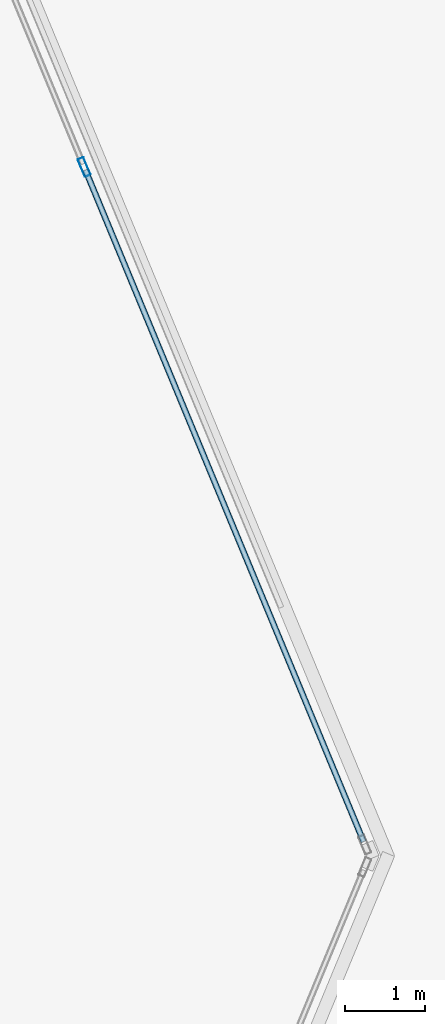
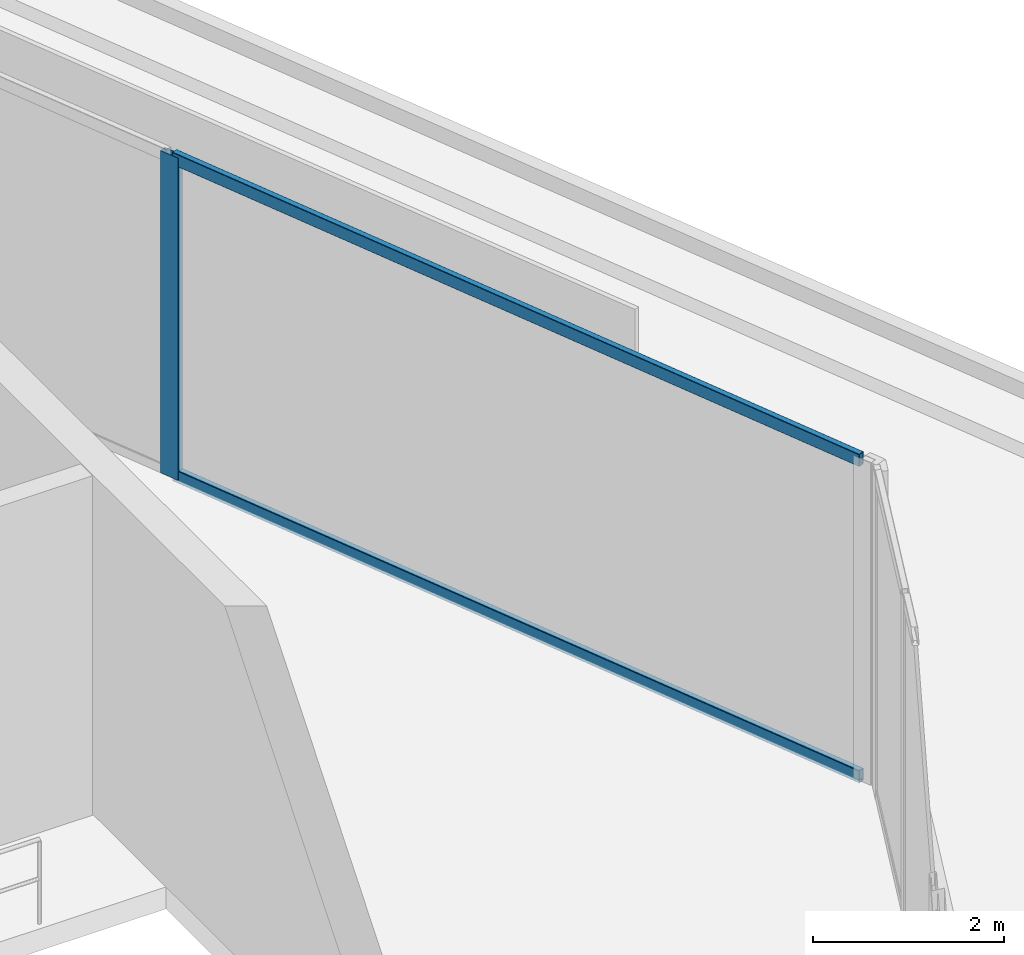
# One storey, part 5 of 11: 3 members, 1 element without a shape of its own.
"""IFC4 building model written with IfcOpenShell, lengths in metres."""

from ifc_helpers import new_model, si_unit, direction, frame, origin, origin_2d, place, context, subcontext, project, spatial, hollow_rectangle, extrude, source, transform, mapped, material, material_profile, profile_set, type_object, element, aggregate, save


model = new_model("IFC4")

# Units and contexts
model_context = context("Model", 3, precision=1e-05, world=origin(), true_north=direction((0.0, 1.0)))
body_context = subcontext(model_context, "Body", "Model", "MODEL_VIEW")
ifc_project = project(units=[si_unit("LENGTHUNIT", "METRE"), si_unit("AREAUNIT", "SQUARE_METRE"), si_unit("VOLUMEUNIT", "CUBIC_METRE"), si_unit("PLANEANGLEUNIT", "RADIAN"), si_unit("MASSUNIT", "GRAM", prefix="KILO")], contexts=[model_context])

# Site, building, storey
site_placement = place(None, origin())
site = spatial("IfcSite", under=ifc_project, at=site_placement, CompositionType="ELEMENT")
building_placement = place(site_placement, origin())
building = spatial("IfcBuilding", under=site, at=building_placement, Name="Torre Montelarca", CompositionType="ELEMENT")
storey_placement = place(building_placement, frame((0.0, 0.0, 366.0)))
storey = spatial("IfcBuildingStorey", under=building, at=storey_placement, Name="L82", CompositionType="ELEMENT", Elevation=366.0)

# Curtain wall, members
ifc_material_1 = material(Name="Amber translucent laminated glass", Category="glass")
curtain_wall_type = type_object("IfcCurtainWallType", Name="CW-SYS-LANT", PredefinedType="USERDEFINED", material=ifc_material_1)
curtain_wall_placement = place(storey_placement, origin())
curtain_wall = element("IfcCurtainWall", 1, at=curtain_wall_placement, inside=storey, type_object=curtain_wall_type, Name="L82 Curtain Wall Run CW-T3-L82-E05-B1", ObjectType="TRANSLUCENT LANTERN", PredefinedType="USERDEFINED")
ifc_material_2 = material(Name="Anodised aluminium AA 6063-T6", Category="aluminium")
ifc_material_profile_1 = material_profile(ifc_material_2, hollow_rectangle(XDim=0.080078125, YDim=0.239990234375, WallThickness=0.0048828125, InnerFilletRadius=0.0048828125, OuterFilletRadius=0.010009765625, at=origin_2d()), Name="ALU80X240X5", Category="aluminium")
ifc_profile_set_1 = profile_set([ifc_material_profile_1], Name="Anodised aluminium AA 6063-T6")
member_type_1 = type_object("IfcMemberType", Name="CWM-ALU240", PredefinedType="MULLION", material=ifc_profile_set_1)
shared_shape_1 = source(origin(), body_context, "Body", "SweptSolid", [
    extrude(hollow_rectangle(XDim=0.080078125, YDim=0.239990234375, WallThickness=0.0048828125, InnerFilletRadius=0.0048828125, OuterFilletRadius=0.010009765625, at=origin_2d()), origin(), (0.0, 0.0, 1.0), 4.1201171875),
])
member_1_placement = place(storey_placement, frame((30.36328125, 36.916015625, 0.0), z_axis=(0.0, 0.0, 1.0), x_axis=(-0.92387961246, -0.382683239352, 0.0)))
member_1 = element("IfcMember", 2, at=member_1_placement, type_object=member_type_1, Name="CW mullion 2", PredefinedType="MULLION", context=body_context, shape_type="MappedRepresentation", body=[
    mapped(shared_shape_1, transform((0.0, 0.0, 0.0), scale=1.0)),
])
ifc_material_profile_2 = material_profile(ifc_material_2, hollow_rectangle(XDim=0.074951171875, YDim=0.159912109375, WallThickness=0.0048828125, InnerFilletRadius=0.0048828125, OuterFilletRadius=0.010009765625, at=origin_2d()), Name="ALU75X160X5", Category="aluminium")
ifc_profile_set_2 = profile_set([ifc_material_profile_2], Name="Anodised aluminium AA 6063-T6")
member_type_2 = type_object("IfcMemberType", Name="CWT-ALU160", PredefinedType="USERDEFINED", material=ifc_profile_set_2)
shared_shape_2 = source(origin(), body_context, "Body", "SweptSolid", [
    extrude(hollow_rectangle(XDim=0.074951171875, YDim=0.159912109375, WallThickness=0.0048828125, InnerFilletRadius=0.0048828125, OuterFilletRadius=0.010009765625, at=origin_2d()), origin(), (0.0, 0.0, 1.0), 9.06396484375),
])
member_2_placement = place(storey_placement, frame((33.847412109375, 28.505126953125, 0.03759765625), z_axis=(-0.382694348506, 0.923875010822, 0.0), x_axis=(-0.923875010822, -0.382694348506, 0.0)))
member_2 = element("IfcMember", 3, at=member_2_placement, type_object=member_type_2, Name="CW transom 1.1", ObjectType="TRANSOM", PredefinedType="USERDEFINED", context=body_context, shape_type="MappedRepresentation", body=[
    mapped(shared_shape_2, transform((0.0, 0.0, 0.0), scale=1.0)),
])
member_3_placement = place(storey_placement, frame((33.847412109375, 28.505126953125, 4.08251953125), z_axis=(-0.382694348506, 0.923875010822, 0.0), x_axis=(-0.923875010822, -0.382694348506, 0.0)))
member_3 = element("IfcMember", 4, at=member_3_placement, type_object=member_type_2, Name="CW transom 1.2", ObjectType="TRANSOM", PredefinedType="USERDEFINED", context=body_context, shape_type="MappedRepresentation", body=[
    mapped(shared_shape_2, transform((0.0, 0.0, 0.0), scale=1.0)),
])
aggregate(curtain_wall, [member_1, member_2, member_3])

save(model, "model.ifc")
